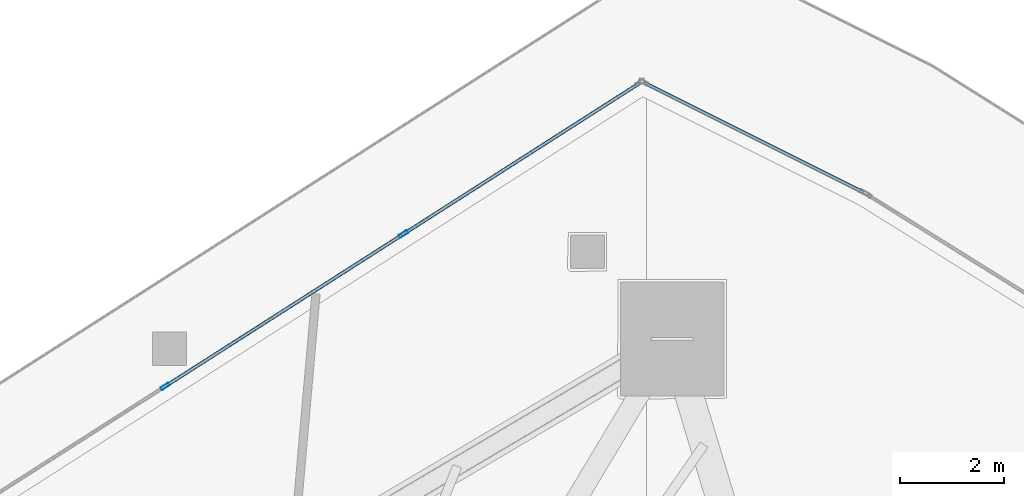
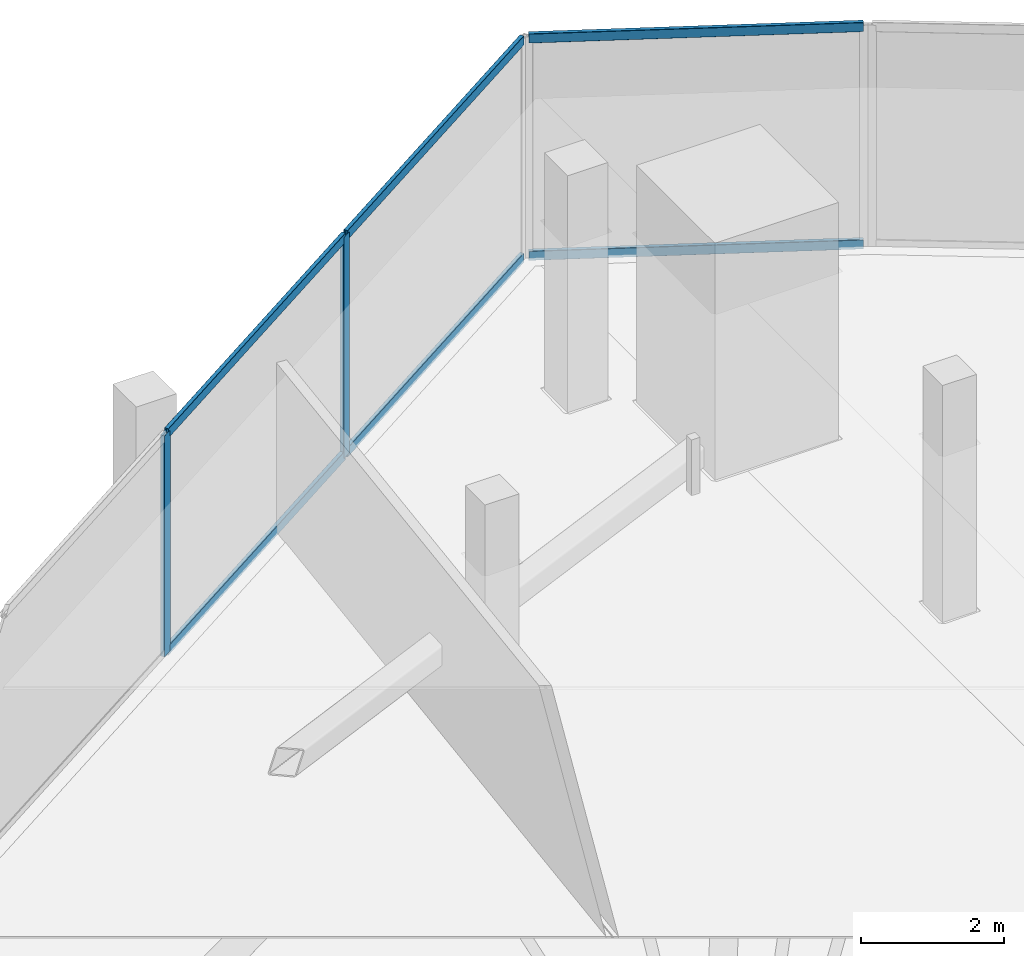
# One storey, part 22 of 40: 8 members, 2 elements without a shape of their own.
"""IFC4 building model written with IfcOpenShell, lengths in metres."""

from ifc_helpers import new_model, si_unit, direction, frame, origin, origin_2d, place, context, subcontext, project, spatial, hollow_rectangle, extrude, material, layer, layer_set, material_profile, profile_set, type_object, element, aggregate, save


model = new_model("IFC4")

# Units and contexts
model_context = context("Model", 3, precision=1e-05, world=origin(), true_north=direction((0.0, 1.0)))
body_context = subcontext(model_context, "Body", "Model", "MODEL_VIEW")
ifc_project = project(units=[si_unit("LENGTHUNIT", "METRE"), si_unit("AREAUNIT", "SQUARE_METRE"), si_unit("VOLUMEUNIT", "CUBIC_METRE"), si_unit("PLANEANGLEUNIT", "RADIAN"), si_unit("MASSUNIT", "GRAM", prefix="KILO")], contexts=[model_context])

# Site, building, storey
site_placement = place(None, origin())
site = spatial("IfcSite", under=ifc_project, at=site_placement, CompositionType="ELEMENT")
building_placement = place(site_placement, origin())
building = spatial("IfcBuilding", under=site, at=building_placement, Name="Qorvath Tower", CompositionType="ELEMENT")
storey_placement = place(building_placement, frame((0.0, 0.0, 138.14990234375)))
storey = spatial("IfcBuildingStorey", under=building, at=storey_placement, Name="L31", CompositionType="ELEMENT", Elevation=138.14990234375)

# Curtain wall, members
ifc_material_1 = material(Name="Anodised aluminium and triple low-E glass", Category="aluminium")
ifc_layer = layer(ifc_material_1, 0.179931640625)
ifc_layer_set = layer_set([ifc_layer], Name="CW-SYS-3")
curtain_wall_type = type_object("IfcCurtainWallType", Name="CW-SYS-3", PredefinedType="NOTDEFINED", material=ifc_layer_set)
curtain_wall_1_placement = place(storey_placement, origin())
curtain_wall_1 = element("IfcCurtainWall", 1, at=curtain_wall_1_placement, inside=storey, type_object=curtain_wall_type, Name="Curtain Wall CW-3 CW-T-L31-16.1", PredefinedType="NOTDEFINED")
ifc_material_2 = material(Name="Anodised aluminium 6063-T6", Category="aluminium")
ifc_material_profile_1 = material_profile(ifc_material_2, hollow_rectangle(XDim=0.06494140625, YDim=0.179931640625, WallThickness=0.00341796875, InnerFilletRadius=0.00341796875, OuterFilletRadius=0.007080078125, at=origin_2d()), Name="CWM 180x65")
ifc_profile_set_1 = profile_set([ifc_material_profile_1], Name="Anodised aluminium 6063-T6")
member_type_1 = type_object("IfcMemberType", Name="CWM-180", PredefinedType="MULLION", material=ifc_profile_set_1)
member_1_placement = place(storey_placement, frame((-20.52587890625, 27.270751953125, 0.0), z_axis=(0.0, 0.0, 1.0), x_axis=(0.538534399095, -0.842603525385, 0.0)))
member_1 = element("IfcMember", 2, at=member_1_placement, type_object=member_type_1, Name="CW-3 mullion 2", PredefinedType="MULLION", context=body_context, shape_type="SweptSolid", body=[
    extrude(hollow_rectangle(XDim=0.06494140625, YDim=0.179931640625, WallThickness=0.00341796875, InnerFilletRadius=0.00341796875, OuterFilletRadius=0.007080078125, at=origin_2d()), origin(), (0.0, 0.0, 1.0), 3.780029296875),
])
member_2_placement = place(storey_placement, frame((-25.12109375, 24.333740234375, 0.0), z_axis=(0.0, 0.0, 1.0), x_axis=(0.538534399095, -0.842603525385, 0.0)))
member_2 = element("IfcMember", 3, at=member_2_placement, type_object=member_type_1, Name="CW-3 mullion 3", PredefinedType="MULLION", context=body_context, shape_type="SweptSolid", body=[
    extrude(hollow_rectangle(XDim=0.06494140625, YDim=0.179931640625, WallThickness=0.00341796875, InnerFilletRadius=0.00341796875, OuterFilletRadius=0.007080078125, at=origin_2d()), origin(), (0.0, 0.0, 1.0), 3.780029296875),
])

curtain_wall_2_placement = place(storey_placement, origin())
curtain_wall_2 = element("IfcCurtainWall", 4, at=curtain_wall_2_placement, inside=storey, type_object=curtain_wall_type, Name="Curtain Wall CW-3 CW-T-L31-15.1", PredefinedType="NOTDEFINED")
ifc_material_3 = material(Name="Anodised aluminium 6063-T6", Category="aluminium")
ifc_material_profile_2 = material_profile(ifc_material_3, hollow_rectangle(XDim=0.06494140625, YDim=0.159912109375, WallThickness=0.00341796875, InnerFilletRadius=0.00341796875, OuterFilletRadius=0.007080078125, at=origin_2d()), Name="CWT 160x65")
ifc_profile_set_2 = profile_set([ifc_material_profile_2], Name="Anodised aluminium 6063-T6")
member_type_2 = type_object("IfcMemberType", Name="CWT-160", PredefinedType="USERDEFINED", material=ifc_profile_set_2)
member_3_placement = place(storey_placement, frame((-11.673583984375, 28.078857421875, 0.032470703125), z_axis=(-0.894427191, 0.4472135955, 0.0), x_axis=(-0.4472135955, -0.894427191, 0.0)))
member_3 = element("IfcMember", 5, at=member_3_placement, type_object=member_type_2, Name="CW-3 transom 1.1", ObjectType="TRANSOM", PredefinedType="USERDEFINED", context=body_context, shape_type="SweptSolid", body=[
    extrude(hollow_rectangle(XDim=0.06494140625, YDim=0.159912109375, WallThickness=0.00341796875, InnerFilletRadius=0.00341796875, OuterFilletRadius=0.007080078125, at=origin_2d()), origin(), (0.0, 0.0, 1.0), 4.69482421875),
])
member_4_placement = place(storey_placement, frame((-11.673583984375, 28.078857421875, 3.74755859375), z_axis=(-0.894427191, 0.4472135955, 0.0), x_axis=(-0.4472135955, -0.894427191, 0.0)))
member_4 = element("IfcMember", 6, at=member_4_placement, type_object=member_type_2, Name="CW-3 transom 1.2", ObjectType="TRANSOM", PredefinedType="USERDEFINED", context=body_context, shape_type="SweptSolid", body=[
    extrude(hollow_rectangle(XDim=0.06494140625, YDim=0.159912109375, WallThickness=0.00341796875, InnerFilletRadius=0.00341796875, OuterFilletRadius=0.007080078125, at=origin_2d()), origin(), (0.0, 0.0, 1.0), 4.69482421875),
])
aggregate(curtain_wall_2, [member_3, member_4])

# Member
member_5_placement = place(storey_placement, frame((-15.985595703125, 30.172607421875, 0.032470703125), z_axis=(-0.842589967804, -0.538555611015, 0.0), x_axis=(0.538555611015, -0.842589967804, 0.0)))
member_5 = element("IfcMember", 7, at=member_5_placement, type_object=member_type_2, Name="CW-3 transom 1.1", ObjectType="TRANSOM", PredefinedType="USERDEFINED", context=body_context, shape_type="SweptSolid", body=[
    extrude(hollow_rectangle(XDim=0.06494140625, YDim=0.159912109375, WallThickness=0.00341796875, InnerFilletRadius=0.00341796875, OuterFilletRadius=0.007080078125, at=origin_2d()), origin(), (0.0, 0.0, 1.0), 5.35595703125),
])

member_6_placement = place(storey_placement, frame((-15.985595703125, 30.172607421875, 3.74755859375), z_axis=(-0.842589967804, -0.538555611015, 0.0), x_axis=(0.538555611015, -0.842589967804, 0.0)))
member_6 = element("IfcMember", 8, at=member_6_placement, type_object=member_type_2, Name="CW-3 transom 1.2", ObjectType="TRANSOM", PredefinedType="USERDEFINED", context=body_context, shape_type="SweptSolid", body=[
    extrude(hollow_rectangle(XDim=0.06494140625, YDim=0.159912109375, WallThickness=0.00341796875, InnerFilletRadius=0.00341796875, OuterFilletRadius=0.007080078125, at=origin_2d()), origin(), (0.0, 0.0, 1.0), 5.35595703125),
])

member_7_placement = place(storey_placement, frame((-20.55322265625, 27.253173828125, 0.032470703125), z_axis=(-0.842602030071, -0.538536738691, 0.0), x_axis=(0.538536738691, -0.842602030071, 0.0)))
member_7 = element("IfcMember", 9, at=member_7_placement, type_object=member_type_2, Name="CW-3 transom 2.1", ObjectType="TRANSOM", PredefinedType="USERDEFINED", context=body_context, shape_type="SweptSolid", body=[
    extrude(hollow_rectangle(XDim=0.06494140625, YDim=0.159912109375, WallThickness=0.00341796875, InnerFilletRadius=0.00341796875, OuterFilletRadius=0.007080078125, at=origin_2d()), origin(), (0.0, 0.0, 1.0), 5.388427734375),
])

member_8_placement = place(storey_placement, frame((-20.55322265625, 27.253173828125, 3.74755859375), z_axis=(-0.842602030071, -0.538536738691, 0.0), x_axis=(0.538536738691, -0.842602030071, 0.0)))
member_8 = element("IfcMember", 10, at=member_8_placement, type_object=member_type_2, Name="CW-3 transom 2.2", ObjectType="TRANSOM", PredefinedType="USERDEFINED", context=body_context, shape_type="SweptSolid", body=[
    extrude(hollow_rectangle(XDim=0.06494140625, YDim=0.159912109375, WallThickness=0.00341796875, InnerFilletRadius=0.00341796875, OuterFilletRadius=0.007080078125, at=origin_2d()), origin(), (0.0, 0.0, 1.0), 5.388427734375),
])

aggregate(curtain_wall_1, [member_1, member_2, member_5, member_6, member_7, member_8])

save(model, "model.ifc")
